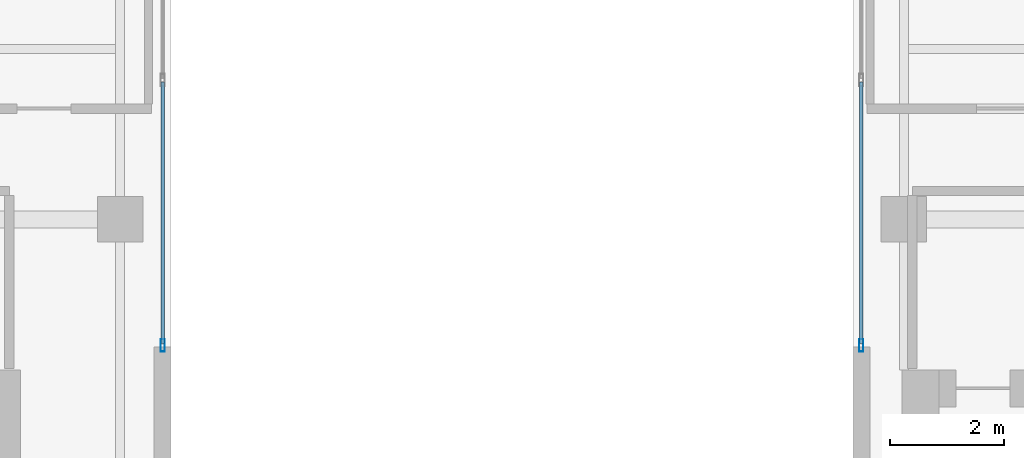
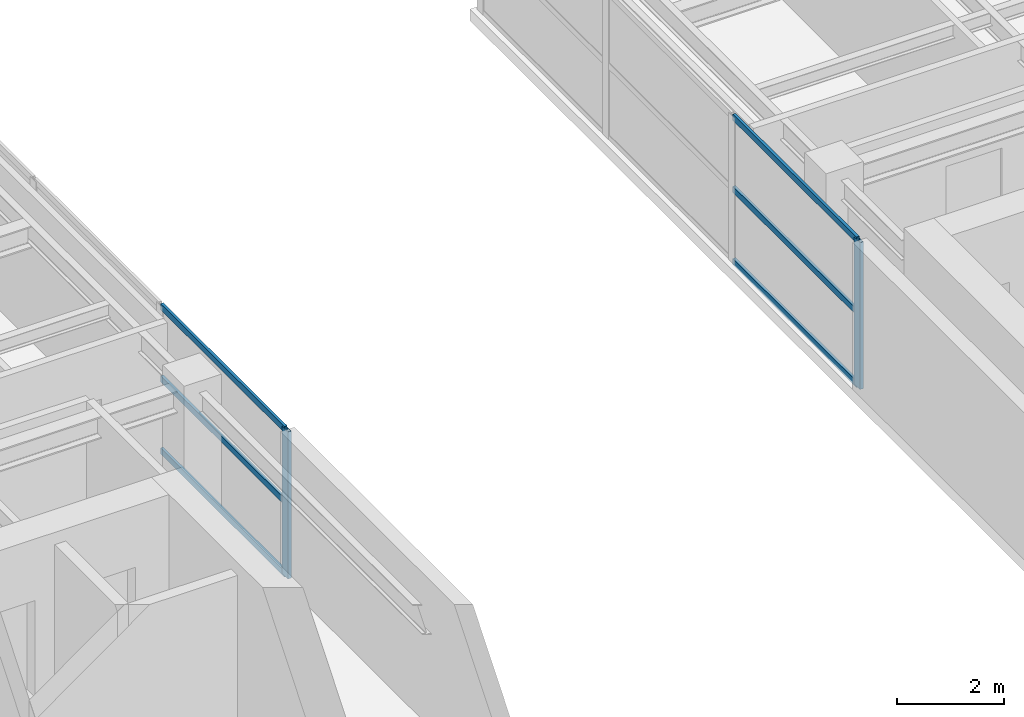
# One storey, part 9 of 22: 8 members, 2 elements without a shape of their own.
"""IFC4 building model written with IfcOpenShell, lengths in metres."""

from ifc_helpers import new_model, si_unit, direction, frame, origin, origin_2d, place, context, subcontext, project, spatial, hollow_rectangle, extrude, source, transform, mapped, material, layer, layer_set, material_profile, profile_set, type_object, element, aggregate, save


model = new_model("IFC4")

# Units and contexts
model_context = context("Model", 3, precision=1e-05, world=origin(), true_north=direction((0.0, 1.0)))
body_context = subcontext(model_context, "Body", "Model", "MODEL_VIEW")
ifc_project = project(units=[si_unit("LENGTHUNIT", "METRE"), si_unit("AREAUNIT", "SQUARE_METRE"), si_unit("VOLUMEUNIT", "CUBIC_METRE"), si_unit("PLANEANGLEUNIT", "RADIAN"), si_unit("MASSUNIT", "GRAM", prefix="KILO")], contexts=[model_context])

# Site, building, storey
site_placement = place(None, origin())
site = spatial("IfcSite", under=ifc_project, at=site_placement, CompositionType="ELEMENT")
building_placement = place(site_placement, origin())
building = spatial("IfcBuilding", under=site, at=building_placement, Name="Khoralis Quay Care Tower", CompositionType="ELEMENT")
storey_placement = place(building_placement, frame((0.0, 0.0, 202.5)))
storey = spatial("IfcBuildingStorey", under=building, at=storey_placement, Name="L53", CompositionType="ELEMENT", Elevation=202.5)

# Curtain wall, member
ifc_material = material(Name="Pale anodised aluminium", Category="aluminium")
ifc_layer = layer(ifc_material, 0.18994140625)
ifc_layer_set = layer_set([ifc_layer], Name="Pale anodised aluminium")
curtain_wall_type = type_object("IfcCurtainWallType", Name="CW-SYS-PORTAL", PredefinedType="NOTDEFINED", material=ifc_layer_set)
curtain_wall_1_placement = place(storey_placement, origin())
curtain_wall_1 = element("IfcCurtainWall", 1, at=curtain_wall_1_placement, inside=storey, type_object=curtain_wall_type, Name="L53 Unitised Curtain Wall CW-VP-L53-P1-N", PredefinedType="NOTDEFINED")
ifc_material_profile_1 = material_profile(ifc_material, hollow_rectangle(XDim=0.074951171875, YDim=0.219970703125, WallThickness=0.00390625, at=origin_2d()), Name="Pale anodised aluminium")
ifc_profile_set_1 = profile_set([ifc_material_profile_1], Name="Pale anodised aluminium")
member_type_1 = type_object("IfcMemberType", Name="CW-MUL-220", PredefinedType="MULLION", material=ifc_profile_set_1)
shared_shape_1 = source(origin(), body_context, "Body", "SweptSolid", [
    extrude(hollow_rectangle(XDim=0.074951171875, YDim=0.219970703125, WallThickness=0.00390625, at=origin_2d()), origin(), (0.0, 0.0, 1.0), 3.340087890625),
])
member_1_placement = place(storey_placement, frame((17.85009765625, 27.780029296875, 0.0), z_axis=(0.0, 0.0, 1.0), x_axis=(-1.0, 0.0, 0.0)))
member_1 = element("IfcMember", 2, at=member_1_placement, type_object=member_type_1, Name="CW4 mullion 1", PredefinedType="MULLION", context=body_context, shape_type="MappedRepresentation", body=[
    mapped(shared_shape_1, transform((0.0, 0.0, 0.0), scale=1.0)),
])

curtain_wall_2_placement = place(storey_placement, origin())
curtain_wall_2 = element("IfcCurtainWall", 3, at=curtain_wall_2_placement, inside=storey, type_object=curtain_wall_type, Name="L53 Unitised Curtain Wall CW-VP-L53-P2-N", PredefinedType="NOTDEFINED")
member_2_placement = place(storey_placement, frame((30.14990234375, 27.780029296875, 0.0), z_axis=(0.0, 0.0, 1.0), x_axis=(-1.0, 0.0, 0.0)))
member_2 = element("IfcMember", 4, at=member_2_placement, type_object=member_type_1, Name="CW4 mullion 1", PredefinedType="MULLION", context=body_context, shape_type="MappedRepresentation", body=[
    mapped(shared_shape_1, transform((0.0, 0.0, 0.0), scale=1.0)),
])

# Member
ifc_material_profile_2 = material_profile(ifc_material, hollow_rectangle(XDim=0.06005859375, YDim=0.139892578125, WallThickness=0.00390625, at=origin_2d()), Name="Pale anodised aluminium")
ifc_profile_set_2 = profile_set([ifc_material_profile_2], Name="Pale anodised aluminium")
member_type_2 = type_object("IfcMemberType", Name="CW-TRN-140", PredefinedType="USERDEFINED", material=ifc_profile_set_2)
shared_shape_2 = source(origin(), body_context, "Body", "SweptSolid", [
    extrude(hollow_rectangle(XDim=0.06005859375, YDim=0.139892578125, WallThickness=0.00390625, at=origin_2d()), origin(), (0.0, 0.0, 1.0), 4.60986328125),
])
member_3_placement = place(storey_placement, frame((17.85009765625, 27.81005859375, 0.030029296875), z_axis=(0.0, 1.0, 0.0), x_axis=(-1.0, 0.0, 0.0)))
member_3 = element("IfcMember", 5, at=member_3_placement, type_object=member_type_2, Name="CW4 transom 1.1", ObjectType="TRANSOM", PredefinedType="USERDEFINED", context=body_context, shape_type="MappedRepresentation", body=[
    mapped(shared_shape_2, transform((0.0, 0.0, 0.0), scale=1.0)),
])

member_4_placement = place(storey_placement, frame((17.85009765625, 27.81005859375, 1.669921875), z_axis=(0.0, 1.0, 0.0), x_axis=(-1.0, 0.0, 0.0)))
member_4 = element("IfcMember", 6, at=member_4_placement, type_object=member_type_2, Name="CW4 transom 1.2", ObjectType="TRANSOM", PredefinedType="USERDEFINED", context=body_context, shape_type="MappedRepresentation", body=[
    mapped(shared_shape_2, transform((0.0, 0.0, 0.0), scale=1.0)),
])

member_5_placement = place(storey_placement, frame((17.85009765625, 27.81005859375, 3.31005859375), z_axis=(0.0, 1.0, 0.0), x_axis=(-1.0, 0.0, 0.0)))
member_5 = element("IfcMember", 7, at=member_5_placement, type_object=member_type_2, Name="CW4 transom 1.3", ObjectType="TRANSOM", PredefinedType="USERDEFINED", context=body_context, shape_type="MappedRepresentation", body=[
    mapped(shared_shape_2, transform((0.0, 0.0, 0.0), scale=1.0)),
])

aggregate(curtain_wall_1, [member_1, member_3, member_4, member_5])

member_6_placement = place(storey_placement, frame((30.14990234375, 27.81005859375, 0.030029296875), z_axis=(0.0, 1.0, 0.0), x_axis=(-1.0, 0.0, 0.0)))
member_6 = element("IfcMember", 8, at=member_6_placement, type_object=member_type_2, Name="CW4 transom 1.1", ObjectType="TRANSOM", PredefinedType="USERDEFINED", context=body_context, shape_type="MappedRepresentation", body=[
    mapped(shared_shape_2, transform((0.0, 0.0, 0.0), scale=1.0)),
])

member_7_placement = place(storey_placement, frame((30.14990234375, 27.81005859375, 1.669921875), z_axis=(0.0, 1.0, 0.0), x_axis=(-1.0, 0.0, 0.0)))
member_7 = element("IfcMember", 9, at=member_7_placement, type_object=member_type_2, Name="CW4 transom 1.2", ObjectType="TRANSOM", PredefinedType="USERDEFINED", context=body_context, shape_type="MappedRepresentation", body=[
    mapped(shared_shape_2, transform((0.0, 0.0, 0.0), scale=1.0)),
])

member_8_placement = place(storey_placement, frame((30.14990234375, 27.81005859375, 3.31005859375), z_axis=(0.0, 1.0, 0.0), x_axis=(-1.0, 0.0, 0.0)))
member_8 = element("IfcMember", 10, at=member_8_placement, type_object=member_type_2, Name="CW4 transom 1.3", ObjectType="TRANSOM", PredefinedType="USERDEFINED", context=body_context, shape_type="MappedRepresentation", body=[
    mapped(shared_shape_2, transform((0.0, 0.0, 0.0), scale=1.0)),
])

aggregate(curtain_wall_2, [member_2, member_6, member_7, member_8])

save(model, "model.ifc")
